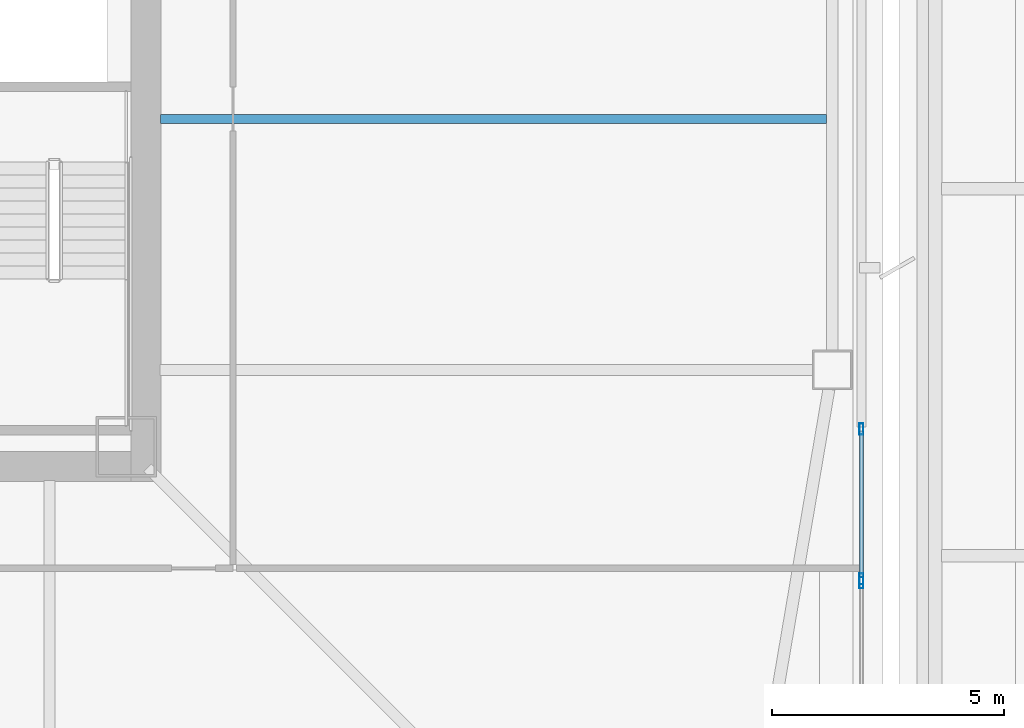
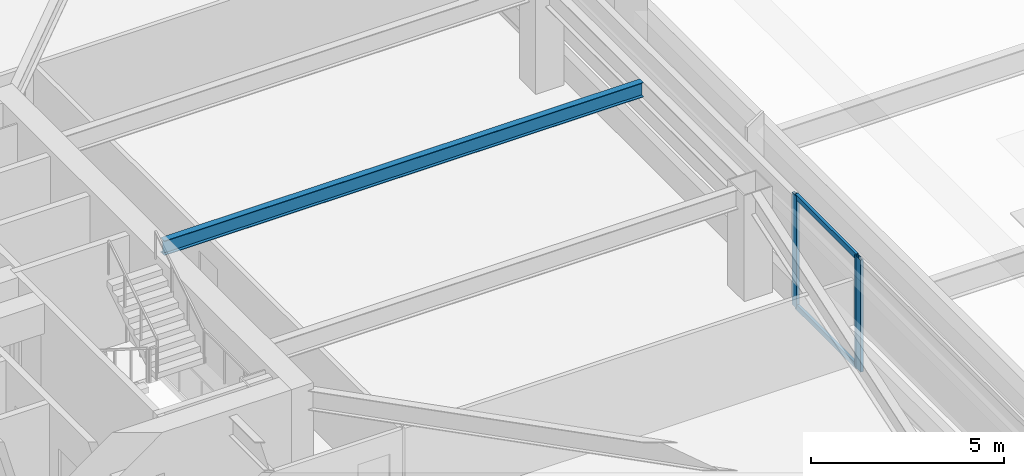
# One storey, part 11 of 62: 5 members, 1 beam, 2 elements without a shape of their own.
"""IFC4 building model written with IfcOpenShell, lengths in metres."""

from ifc_helpers import new_model, si_unit, direction, frame, origin, origin_2d, place, context, subcontext, project, spatial, hollow_rectangle, i_section, extrude, material, material_profile, profile_set, type_object, element, aggregate, save


model = new_model("IFC4")

# Units and contexts
model_context = context("Model", 3, precision=1e-05, world=origin(), true_north=direction((0.0, 1.0)))
body_context = subcontext(model_context, "Body", "Model", "MODEL_VIEW")
ifc_project = project(units=[si_unit("LENGTHUNIT", "METRE"), si_unit("AREAUNIT", "SQUARE_METRE"), si_unit("VOLUMEUNIT", "CUBIC_METRE"), si_unit("PLANEANGLEUNIT", "RADIAN"), si_unit("MASSUNIT", "GRAM", prefix="KILO")], contexts=[model_context])

# Site, building, storey
site_placement = place(None, origin())
site = spatial("IfcSite", under=ifc_project, at=site_placement, CompositionType="ELEMENT")
building_placement = place(site_placement, origin())
building = spatial("IfcBuilding", under=site, at=building_placement, Name="Tashvorn Skyway Center", CompositionType="ELEMENT")
storey_placement = place(building_placement, frame((0.0, 0.0, 28.14990234375)))
storey = spatial("IfcBuildingStorey", under=building, at=storey_placement, Name="L06", CompositionType="ELEMENT", Elevation=28.14990234375)

# Beam
ifc_material_1 = material(Name="Steel ASTM A992 Grade 50", Category="steel")
ifc_material_profile_1 = material_profile(ifc_material_1, i_section(OverallWidth=0.19091796875, OverallDepth=0.4599609375, WebThickness=0.010009765625, FlangeThickness=0.01611328125, at=origin_2d()), Name="W18X55")
ifc_profile_set_1 = profile_set([ifc_material_profile_1], Name="Steel ASTM A992 Grade 50")
beam_type = type_object("IfcBeamType", Name="BM-JOIST-W18X55", PredefinedType="JOIST", material=ifc_profile_set_1)
beam_placement = place(storey_placement, frame((49.7900390625, 32.0, 3.1201171875), z_axis=(1.0, 0.0, 0.0), x_axis=(0.0, 1.0, 0.0)))
element("IfcBeam", 1, at=beam_placement, inside=storey, type_object=beam_type, Name="Tower 1 L06 Secondary Composite Joist JE", PredefinedType="JOIST", context=body_context, shape_type="SweptSolid", body=[
    extrude(i_section(OverallWidth=0.19091796875, OverallDepth=0.4599609375, WebThickness=0.010009765625, FlangeThickness=0.01611328125, at=origin_2d()), origin(), (0.0, 0.0, 1.0), 14.33984375),
])

# Curtain wall, members
ifc_material_2 = material(Name="Thermally broken bronze-anodized aluminium 6063-T6", Category="aluminium")
curtain_wall_type = type_object("IfcCurtainWallType", Name="CW-CW-Z1", PredefinedType="NOTDEFINED", material=ifc_material_2)
curtain_wall_1_placement = place(storey_placement, origin())
curtain_wall_1 = element("IfcCurtainWall", 2, at=curtain_wall_1_placement, inside=storey, type_object=curtain_wall_type, Name="Tower 1 L06 East Unitised Curtain Wall Glazing Group 3", PredefinedType="NOTDEFINED")
ifc_material_profile_2 = material_profile(ifc_material_2, hollow_rectangle(XDim=0.0849609375, YDim=0.239990234375, WallThickness=0.0048828125, at=origin_2d()), Name="ALU-MULL-85x240")
ifc_profile_set_2 = profile_set([ifc_material_profile_2], Name="Thermally broken bronze-anodized aluminium 6063-T6")
member_type_1 = type_object("IfcMemberType", Name="CWM-CW-Z1", PredefinedType="MULLION", material=ifc_profile_set_2)
member_1_placement = place(storey_placement, frame((64.8798828125, 25.330810546875, 0.0), z_axis=(0.0, 0.0, 1.0), x_axis=(1.0, 0.0, 0.0)))
member_1 = element("IfcMember", 3, at=member_1_placement, type_object=member_type_1, Name="CW-Z1 mullion 1", PredefinedType="MULLION", context=body_context, shape_type="SweptSolid", body=[
    extrude(hollow_rectangle(XDim=0.0849609375, YDim=0.239990234375, WallThickness=0.0048828125, at=origin_2d()), origin(), (0.0, 0.0, 1.0), 3.550048828125),
])
member_2_placement = place(storey_placement, frame((64.8798828125, 22.1025390625, 0.0), z_axis=(0.0, 0.0, 1.0), x_axis=(1.0, 0.0, 0.0)))
member_2 = element("IfcMember", 4, at=member_2_placement, type_object=member_type_1, Name="CW-Z1 mullion 2", PredefinedType="MULLION", context=body_context, shape_type="SweptSolid", body=[
    extrude(hollow_rectangle(XDim=0.0849609375, YDim=0.239990234375, WallThickness=0.0048828125, at=origin_2d()), origin(), (0.0, 0.0, 1.0), 3.550048828125),
])

# Curtain wall, member
curtain_wall_2_placement = place(storey_placement, origin())
curtain_wall_2 = element("IfcCurtainWall", 5, at=curtain_wall_2_placement, inside=storey, type_object=curtain_wall_type, Name="Tower 1 L06 East Unitised Curtain Wall Glazing Group 4", PredefinedType="NOTDEFINED")
member_3_placement = place(storey_placement, frame((64.8798828125, 22.017578125, 0.0), z_axis=(0.0, 0.0, 1.0), x_axis=(1.0, 0.0, 0.0)))
member_3 = element("IfcMember", 6, at=member_3_placement, type_object=member_type_1, Name="CW-Z1 mullion 1", PredefinedType="MULLION", context=body_context, shape_type="SweptSolid", body=[
    extrude(hollow_rectangle(XDim=0.0849609375, YDim=0.239990234375, WallThickness=0.0048828125, at=origin_2d()), origin(), (0.0, 0.0, 1.0), 3.550048828125),
])
aggregate(curtain_wall_2, [member_3])

# Member
ifc_material_profile_3 = material_profile(ifc_material_2, hollow_rectangle(XDim=0.0849609375, YDim=0.1650390625, WallThickness=0.0048828125, at=origin_2d()), Name="ALU-TRAN-85x165")
ifc_profile_set_3 = profile_set([ifc_material_profile_3], Name="Thermally broken bronze-anodized aluminium 6063-T6")
member_type_2 = type_object("IfcMemberType", Name="CWT-CW-Z1", PredefinedType="USERDEFINED", material=ifc_profile_set_3)
member_4_placement = place(storey_placement, frame((64.8798828125, 25.288330078125, 0.04248046875), z_axis=(0.0, -1.0, 0.0), x_axis=(1.0, 0.0, 0.0)))
member_4 = element("IfcMember", 7, at=member_4_placement, type_object=member_type_2, Name="CW-Z1 transom 1.1", ObjectType="TRANSOM", PredefinedType="USERDEFINED", context=body_context, shape_type="SweptSolid", body=[
    extrude(hollow_rectangle(XDim=0.0849609375, YDim=0.1650390625, WallThickness=0.0048828125, at=origin_2d()), origin(), (0.0, 0.0, 1.0), 3.143310546875),
])

member_5_placement = place(storey_placement, frame((64.8798828125, 25.288330078125, 3.507568359375), z_axis=(0.0, -1.0, 0.0), x_axis=(1.0, 0.0, 0.0)))
member_5 = element("IfcMember", 8, at=member_5_placement, type_object=member_type_2, Name="CW-Z1 transom 1.2", ObjectType="TRANSOM", PredefinedType="USERDEFINED", context=body_context, shape_type="SweptSolid", body=[
    extrude(hollow_rectangle(XDim=0.0849609375, YDim=0.1650390625, WallThickness=0.0048828125, at=origin_2d()), origin(), (0.0, 0.0, 1.0), 3.143310546875),
])

aggregate(curtain_wall_1, [member_1, member_2, member_4, member_5])

save(model, "model.ifc")
